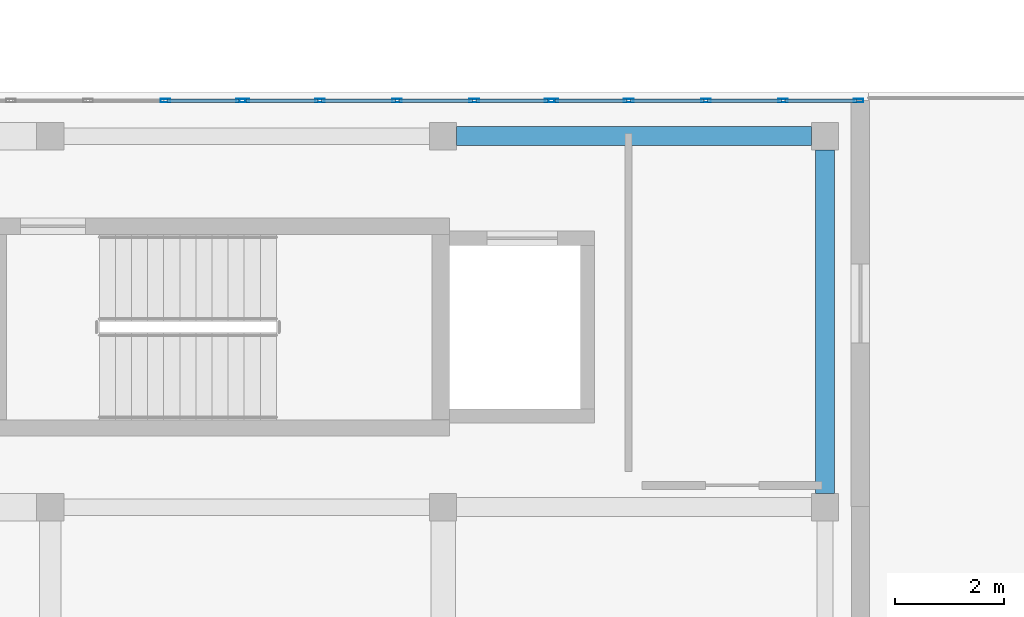
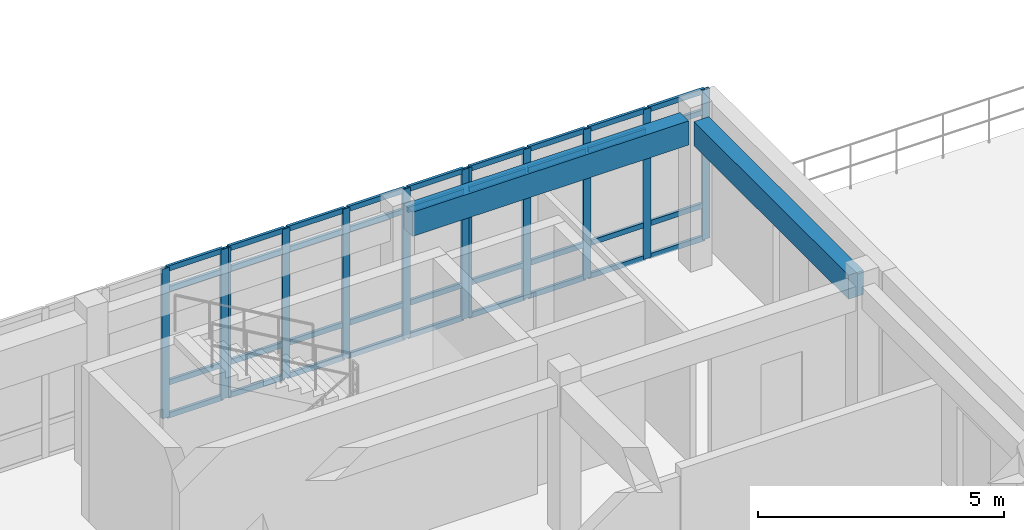
# One storey, part 13 of 52: 48 members, 2 beams, 3 elements without a shape of their own.
"""IFC4 building model written with IfcOpenShell, lengths in metres."""

from ifc_helpers import new_model, si_unit, direction, frame, origin, origin_2d, place, context, subcontext, project, spatial, rectangle, hollow_rectangle, extrude, material, layer, layer_set, material_profile, profile_set, type_object, element, aggregate, save


model = new_model("IFC4")

# Units and contexts
model_context = context("Model", 3, precision=1e-05, world=origin(), true_north=direction((0.0, 1.0)))
body_context = subcontext(model_context, "Body", "Model", "MODEL_VIEW")
ifc_project = project(units=[si_unit("LENGTHUNIT", "METRE"), si_unit("AREAUNIT", "SQUARE_METRE"), si_unit("VOLUMEUNIT", "CUBIC_METRE"), si_unit("PLANEANGLEUNIT", "RADIAN"), si_unit("MASSUNIT", "GRAM", prefix="KILO")], contexts=[model_context])

# Site, building, storey
site_placement = place(None, origin())
site = spatial("IfcSite", under=ifc_project, at=site_placement, CompositionType="ELEMENT")
building_placement = place(site_placement, origin())
building = spatial("IfcBuilding", under=site, at=building_placement, Name="Valcora Specialist Clinic", CompositionType="ELEMENT")
storey_placement = place(building_placement, frame((0.0, 0.0, 17.679931640625)))
storey = spatial("IfcBuildingStorey", under=building, at=storey_placement, Name="L04", CompositionType="ELEMENT", Elevation=17.679931640625)

# Beams
ifc_material_1 = material(Name="Concrete C40/50", Category="concrete")
ifc_material_profile_1 = material_profile(ifc_material_1, rectangle(XDim=0.35009765625, YDim=0.60009765625, at=origin_2d()), Name="RC-BM-350X600")
ifc_profile_set_1 = profile_set([ifc_material_profile_1], Name="Concrete C40/50")
beam_type = type_object("IfcBeamType", Name="TY-BM-RC350X600", PredefinedType="BEAM", material=ifc_profile_set_1)
beam_1_placement = place(storey_placement, frame((38.050048828125, 22.0, 3.420166015625), z_axis=(1.0, 0.0, 0.0), x_axis=(0.0, 1.0, 0.0)))
element("IfcBeam", 1, at=beam_1_placement, inside=storey, type_object=beam_type, Name="Beam BM-L04-1094", PredefinedType="BEAM", context=body_context, shape_type="SweptSolid", body=[
    extrude(rectangle(XDim=0.35009765625, YDim=0.60009765625, at=origin_2d()), origin(), (0.0, 0.0, 1.0), 6.5),
])
beam_2_placement = place(storey_placement, frame((44.800048828125, 15.449951171875, 3.420166015625), z_axis=(0.0, 1.0, 0.0), x_axis=(-1.0, 0.0, 0.0)))
element("IfcBeam", 2, at=beam_2_placement, inside=storey, type_object=beam_type, Name="Beam BM-L04-1110", PredefinedType="BEAM", context=body_context, shape_type="SweptSolid", body=[
    extrude(rectangle(XDim=0.35009765625, YDim=0.60009765625, at=origin_2d()), origin(), (0.0, 0.0, 1.0), 6.300048828125),
])

# Curtain wall, members
ifc_material_2 = material(Name="Anodized Bronze Aluminium 6063-T6", Category="aluminium")
ifc_layer = layer(ifc_material_2, 0.175048828125)
ifc_layer_set = layer_set([ifc_layer], Name="Anodized Bronze Aluminium 6063-T6")
curtain_wall_type = type_object("IfcCurtainWallType", Name="TY-CW-V5F15", PredefinedType="NOTDEFINED", material=ifc_layer_set)
curtain_wall_1_placement = place(storey_placement, origin())
curtain_wall_1 = element("IfcCurtainWall", 3, at=curtain_wall_1_placement, inside=storey, type_object=curtain_wall_type, Name="Curtain wall CW-L04-172", PredefinedType="NOTDEFINED")
ifc_material_profile_2 = material_profile(ifc_material_2, hollow_rectangle(XDim=0.06494140625, YDim=0.175048828125, WallThickness=0.00390625, at=origin_2d()), Name="AL-MUL-65X175")
ifc_profile_set_2 = profile_set([ifc_material_profile_2], Name="Anodized Bronze Aluminium 6063-T6")
member_type_1 = type_object("IfcMemberType", Name="TY-CWM-65X175", PredefinedType="MULLION", material=ifc_profile_set_2)
member_1_placement = place(storey_placement, frame((32.70947265625, 22.64990234375, 0.0), z_axis=(0.0, 0.0, 1.0), x_axis=(0.0, 1.0, 0.0)))
member_1 = element("IfcMember", 4, at=member_1_placement, type_object=member_type_1, Name="CW-V5F-15 mullion 4", PredefinedType="MULLION", context=body_context, shape_type="SweptSolid", body=[
    extrude(hollow_rectangle(XDim=0.06494140625, YDim=0.175048828125, WallThickness=0.00390625, at=origin_2d()), origin(), (0.0, 0.0, 1.0), 3.719970703125),
])
member_2_placement = place(storey_placement, frame((34.092529296875, 22.64990234375, 0.0), z_axis=(0.0, 0.0, 1.0), x_axis=(0.0, 1.0, 0.0)))
member_2 = element("IfcMember", 5, at=member_2_placement, type_object=member_type_1, Name="CW-V5F-15 mullion 5", PredefinedType="MULLION", context=body_context, shape_type="SweptSolid", body=[
    extrude(hollow_rectangle(XDim=0.06494140625, YDim=0.175048828125, WallThickness=0.00390625, at=origin_2d()), origin(), (0.0, 0.0, 1.0), 3.719970703125),
])

curtain_wall_2_placement = place(storey_placement, origin())
curtain_wall_2 = element("IfcCurtainWall", 6, at=curtain_wall_2_placement, inside=storey, type_object=curtain_wall_type, Name="Curtain wall CW-L04-173", PredefinedType="NOTDEFINED")
member_3_placement = place(storey_placement, frame((34.157470703125, 22.64990234375, 0.0), z_axis=(0.0, 0.0, 1.0), x_axis=(0.0, 1.0, 0.0)))
member_3 = element("IfcMember", 7, at=member_3_placement, type_object=member_type_1, Name="CW-V5F-15 mullion 1", PredefinedType="MULLION", context=body_context, shape_type="SweptSolid", body=[
    extrude(hollow_rectangle(XDim=0.06494140625, YDim=0.175048828125, WallThickness=0.00390625, at=origin_2d()), origin(), (0.0, 0.0, 1.0), 3.719970703125),
])
member_4_placement = place(storey_placement, frame((35.54052734375, 22.64990234375, 0.0), z_axis=(0.0, 0.0, 1.0), x_axis=(0.0, 1.0, 0.0)))
member_4 = element("IfcMember", 8, at=member_4_placement, type_object=member_type_1, Name="CW-V5F-15 mullion 2", PredefinedType="MULLION", context=body_context, shape_type="SweptSolid", body=[
    extrude(hollow_rectangle(XDim=0.06494140625, YDim=0.175048828125, WallThickness=0.00390625, at=origin_2d()), origin(), (0.0, 0.0, 1.0), 3.719970703125),
])
member_5_placement = place(storey_placement, frame((36.956298828125, 22.64990234375, 0.0), z_axis=(0.0, 0.0, 1.0), x_axis=(0.0, 1.0, 0.0)))
member_5 = element("IfcMember", 9, at=member_5_placement, type_object=member_type_1, Name="CW-V5F-15 mullion 3", PredefinedType="MULLION", context=body_context, shape_type="SweptSolid", body=[
    extrude(hollow_rectangle(XDim=0.06494140625, YDim=0.175048828125, WallThickness=0.00390625, at=origin_2d()), origin(), (0.0, 0.0, 1.0), 3.719970703125),
])
member_6_placement = place(storey_placement, frame((38.371826171875, 22.64990234375, 0.0), z_axis=(0.0, 0.0, 1.0), x_axis=(0.0, 1.0, 0.0)))
member_6 = element("IfcMember", 10, at=member_6_placement, type_object=member_type_1, Name="CW-V5F-15 mullion 4", PredefinedType="MULLION", context=body_context, shape_type="SweptSolid", body=[
    extrude(hollow_rectangle(XDim=0.06494140625, YDim=0.175048828125, WallThickness=0.00390625, at=origin_2d()), origin(), (0.0, 0.0, 1.0), 3.719970703125),
])
member_7_placement = place(storey_placement, frame((39.7548828125, 22.64990234375, 0.0), z_axis=(0.0, 0.0, 1.0), x_axis=(0.0, 1.0, 0.0)))
member_7 = element("IfcMember", 11, at=member_7_placement, type_object=member_type_1, Name="CW-V5F-15 mullion 5", PredefinedType="MULLION", context=body_context, shape_type="SweptSolid", body=[
    extrude(hollow_rectangle(XDim=0.06494140625, YDim=0.175048828125, WallThickness=0.00390625, at=origin_2d()), origin(), (0.0, 0.0, 1.0), 3.719970703125),
])

curtain_wall_3_placement = place(storey_placement, origin())
curtain_wall_3 = element("IfcCurtainWall", 12, at=curtain_wall_3_placement, inside=storey, type_object=curtain_wall_type, Name="Curtain wall CW-L04-174", PredefinedType="NOTDEFINED")
member_8_placement = place(storey_placement, frame((39.820068359375, 22.64990234375, 0.0), z_axis=(0.0, 0.0, 1.0), x_axis=(0.0, 1.0, 0.0)))
member_8 = element("IfcMember", 13, at=member_8_placement, type_object=member_type_1, Name="CW-V5F-15 mullion 1", PredefinedType="MULLION", context=body_context, shape_type="SweptSolid", body=[
    extrude(hollow_rectangle(XDim=0.06494140625, YDim=0.175048828125, WallThickness=0.00390625, at=origin_2d()), origin(), (0.0, 0.0, 1.0), 3.719970703125),
])
member_9_placement = place(storey_placement, frame((41.203125, 22.64990234375, 0.0), z_axis=(0.0, 0.0, 1.0), x_axis=(0.0, 1.0, 0.0)))
member_9 = element("IfcMember", 14, at=member_9_placement, type_object=member_type_1, Name="CW-V5F-15 mullion 2", PredefinedType="MULLION", context=body_context, shape_type="SweptSolid", body=[
    extrude(hollow_rectangle(XDim=0.06494140625, YDim=0.175048828125, WallThickness=0.00390625, at=origin_2d()), origin(), (0.0, 0.0, 1.0), 3.719970703125),
])
member_10_placement = place(storey_placement, frame((42.61865234375, 22.64990234375, 0.0), z_axis=(0.0, 0.0, 1.0), x_axis=(0.0, 1.0, 0.0)))
member_10 = element("IfcMember", 15, at=member_10_placement, type_object=member_type_1, Name="CW-V5F-15 mullion 3", PredefinedType="MULLION", context=body_context, shape_type="SweptSolid", body=[
    extrude(hollow_rectangle(XDim=0.06494140625, YDim=0.175048828125, WallThickness=0.00390625, at=origin_2d()), origin(), (0.0, 0.0, 1.0), 3.719970703125),
])
member_11_placement = place(storey_placement, frame((44.034423828125, 22.64990234375, 0.0), z_axis=(0.0, 0.0, 1.0), x_axis=(0.0, 1.0, 0.0)))
member_11 = element("IfcMember", 16, at=member_11_placement, type_object=member_type_1, Name="CW-V5F-15 mullion 4", PredefinedType="MULLION", context=body_context, shape_type="SweptSolid", body=[
    extrude(hollow_rectangle(XDim=0.06494140625, YDim=0.175048828125, WallThickness=0.00390625, at=origin_2d()), origin(), (0.0, 0.0, 1.0), 3.719970703125),
])
member_12_placement = place(storey_placement, frame((45.41748046875, 22.64990234375, 0.0), z_axis=(0.0, 0.0, 1.0), x_axis=(0.0, 1.0, 0.0)))
member_12 = element("IfcMember", 17, at=member_12_placement, type_object=member_type_1, Name="CW-V5F-15 mullion 5", PredefinedType="MULLION", context=body_context, shape_type="SweptSolid", body=[
    extrude(hollow_rectangle(XDim=0.06494140625, YDim=0.175048828125, WallThickness=0.00390625, at=origin_2d()), origin(), (0.0, 0.0, 1.0), 3.719970703125),
])

# Member
ifc_material_profile_3 = material_profile(ifc_material_2, hollow_rectangle(XDim=0.06494140625, YDim=0.1298828125, WallThickness=0.00390625, at=origin_2d()), Name="AL-TRN-65X130")
ifc_profile_set_3 = profile_set([ifc_material_profile_3], Name="Anodized Bronze Aluminium 6063-T6")
member_type_2 = type_object("IfcMemberType", Name="TY-CWT-65X130", PredefinedType="USERDEFINED", material=ifc_profile_set_3)
member_13_placement = place(storey_placement, frame((32.741943359375, 22.64990234375, 0.032470703125), z_axis=(1.0, 0.0, 0.0), x_axis=(0.0, 1.0, 0.0)))
member_13 = element("IfcMember", 18, at=member_13_placement, type_object=member_type_2, Name="CW-V5F-15 transom 4.1", ObjectType="TRANSOM", PredefinedType="USERDEFINED", context=body_context, shape_type="SweptSolid", body=[
    extrude(hollow_rectangle(XDim=0.06494140625, YDim=0.1298828125, WallThickness=0.00390625, at=origin_2d()), origin(), (0.0, 0.0, 1.0), 1.318115234375),
])

member_14_placement = place(storey_placement, frame((32.741943359375, 22.64990234375, 0.85009765625), z_axis=(1.0, 0.0, 0.0), x_axis=(0.0, 1.0, 0.0)))
member_14 = element("IfcMember", 19, at=member_14_placement, type_object=member_type_2, Name="CW-V5F-15 transom 4.2", ObjectType="TRANSOM", PredefinedType="USERDEFINED", context=body_context, shape_type="SweptSolid", body=[
    extrude(hollow_rectangle(XDim=0.06494140625, YDim=0.1298828125, WallThickness=0.00390625, at=origin_2d()), origin(), (0.0, 0.0, 1.0), 1.318115234375),
])

member_15_placement = place(storey_placement, frame((32.741943359375, 22.64990234375, 3.170166015625), z_axis=(1.0, 0.0, 0.0), x_axis=(0.0, 1.0, 0.0)))
member_15 = element("IfcMember", 20, at=member_15_placement, type_object=member_type_2, Name="CW-V5F-15 transom 4.3", ObjectType="TRANSOM", PredefinedType="USERDEFINED", context=body_context, shape_type="SweptSolid", body=[
    extrude(hollow_rectangle(XDim=0.06494140625, YDim=0.1298828125, WallThickness=0.00390625, at=origin_2d()), origin(), (0.0, 0.0, 1.0), 1.318115234375),
])

member_16_placement = place(storey_placement, frame((32.741943359375, 22.64990234375, 3.6875), z_axis=(1.0, 0.0, 0.0), x_axis=(0.0, 1.0, 0.0)))
member_16 = element("IfcMember", 21, at=member_16_placement, type_object=member_type_2, Name="CW-V5F-15 transom 4.4", ObjectType="TRANSOM", PredefinedType="USERDEFINED", context=body_context, shape_type="SweptSolid", body=[
    extrude(hollow_rectangle(XDim=0.06494140625, YDim=0.1298828125, WallThickness=0.00390625, at=origin_2d()), origin(), (0.0, 0.0, 1.0), 1.318115234375),
])

aggregate(curtain_wall_1, [member_1, member_2, member_13, member_14, member_15, member_16])

member_17_placement = place(storey_placement, frame((34.18994140625, 22.64990234375, 0.032470703125), z_axis=(1.0, 0.0, 0.0), x_axis=(0.0, 1.0, 0.0)))
member_17 = element("IfcMember", 22, at=member_17_placement, type_object=member_type_2, Name="CW-V5F-15 transom 1.1", ObjectType="TRANSOM", PredefinedType="USERDEFINED", context=body_context, shape_type="SweptSolid", body=[
    extrude(hollow_rectangle(XDim=0.06494140625, YDim=0.1298828125, WallThickness=0.00390625, at=origin_2d()), origin(), (0.0, 0.0, 1.0), 1.318115234375),
])

member_18_placement = place(storey_placement, frame((34.18994140625, 22.64990234375, 0.85009765625), z_axis=(1.0, 0.0, 0.0), x_axis=(0.0, 1.0, 0.0)))
member_18 = element("IfcMember", 23, at=member_18_placement, type_object=member_type_2, Name="CW-V5F-15 transom 1.2", ObjectType="TRANSOM", PredefinedType="USERDEFINED", context=body_context, shape_type="SweptSolid", body=[
    extrude(hollow_rectangle(XDim=0.06494140625, YDim=0.1298828125, WallThickness=0.00390625, at=origin_2d()), origin(), (0.0, 0.0, 1.0), 1.318115234375),
])

member_19_placement = place(storey_placement, frame((34.18994140625, 22.64990234375, 3.170166015625), z_axis=(1.0, 0.0, 0.0), x_axis=(0.0, 1.0, 0.0)))
member_19 = element("IfcMember", 24, at=member_19_placement, type_object=member_type_2, Name="CW-V5F-15 transom 1.3", ObjectType="TRANSOM", PredefinedType="USERDEFINED", context=body_context, shape_type="SweptSolid", body=[
    extrude(hollow_rectangle(XDim=0.06494140625, YDim=0.1298828125, WallThickness=0.00390625, at=origin_2d()), origin(), (0.0, 0.0, 1.0), 1.318115234375),
])

member_20_placement = place(storey_placement, frame((34.18994140625, 22.64990234375, 3.6875), z_axis=(1.0, 0.0, 0.0), x_axis=(0.0, 1.0, 0.0)))
member_20 = element("IfcMember", 25, at=member_20_placement, type_object=member_type_2, Name="CW-V5F-15 transom 1.4", ObjectType="TRANSOM", PredefinedType="USERDEFINED", context=body_context, shape_type="SweptSolid", body=[
    extrude(hollow_rectangle(XDim=0.06494140625, YDim=0.1298828125, WallThickness=0.00390625, at=origin_2d()), origin(), (0.0, 0.0, 1.0), 1.318115234375),
])

member_21_placement = place(storey_placement, frame((35.5732421875, 22.64990234375, 0.032470703125), z_axis=(1.0, 0.0, 0.0), x_axis=(0.0, 1.0, 0.0)))
member_21 = element("IfcMember", 26, at=member_21_placement, type_object=member_type_2, Name="CW-V5F-15 transom 2.1", ObjectType="TRANSOM", PredefinedType="USERDEFINED", context=body_context, shape_type="SweptSolid", body=[
    extrude(hollow_rectangle(XDim=0.06494140625, YDim=0.1298828125, WallThickness=0.00390625, at=origin_2d()), origin(), (0.0, 0.0, 1.0), 1.3505859375),
])

member_22_placement = place(storey_placement, frame((35.5732421875, 22.64990234375, 0.85009765625), z_axis=(1.0, 0.0, 0.0), x_axis=(0.0, 1.0, 0.0)))
member_22 = element("IfcMember", 27, at=member_22_placement, type_object=member_type_2, Name="CW-V5F-15 transom 2.2", ObjectType="TRANSOM", PredefinedType="USERDEFINED", context=body_context, shape_type="SweptSolid", body=[
    extrude(hollow_rectangle(XDim=0.06494140625, YDim=0.1298828125, WallThickness=0.00390625, at=origin_2d()), origin(), (0.0, 0.0, 1.0), 1.3505859375),
])

member_23_placement = place(storey_placement, frame((35.5732421875, 22.64990234375, 3.170166015625), z_axis=(1.0, 0.0, 0.0), x_axis=(0.0, 1.0, 0.0)))
member_23 = element("IfcMember", 28, at=member_23_placement, type_object=member_type_2, Name="CW-V5F-15 transom 2.3", ObjectType="TRANSOM", PredefinedType="USERDEFINED", context=body_context, shape_type="SweptSolid", body=[
    extrude(hollow_rectangle(XDim=0.06494140625, YDim=0.1298828125, WallThickness=0.00390625, at=origin_2d()), origin(), (0.0, 0.0, 1.0), 1.3505859375),
])

member_24_placement = place(storey_placement, frame((35.5732421875, 22.64990234375, 3.6875), z_axis=(1.0, 0.0, 0.0), x_axis=(0.0, 1.0, 0.0)))
member_24 = element("IfcMember", 29, at=member_24_placement, type_object=member_type_2, Name="CW-V5F-15 transom 2.4", ObjectType="TRANSOM", PredefinedType="USERDEFINED", context=body_context, shape_type="SweptSolid", body=[
    extrude(hollow_rectangle(XDim=0.06494140625, YDim=0.1298828125, WallThickness=0.00390625, at=origin_2d()), origin(), (0.0, 0.0, 1.0), 1.3505859375),
])

member_25_placement = place(storey_placement, frame((36.98876953125, 22.64990234375, 0.032470703125), z_axis=(1.0, 0.0, 0.0), x_axis=(0.0, 1.0, 0.0)))
member_25 = element("IfcMember", 30, at=member_25_placement, type_object=member_type_2, Name="CW-V5F-15 transom 3.1", ObjectType="TRANSOM", PredefinedType="USERDEFINED", context=body_context, shape_type="SweptSolid", body=[
    extrude(hollow_rectangle(XDim=0.06494140625, YDim=0.1298828125, WallThickness=0.00390625, at=origin_2d()), origin(), (0.0, 0.0, 1.0), 1.3505859375),
])

member_26_placement = place(storey_placement, frame((36.98876953125, 22.64990234375, 0.85009765625), z_axis=(1.0, 0.0, 0.0), x_axis=(0.0, 1.0, 0.0)))
member_26 = element("IfcMember", 31, at=member_26_placement, type_object=member_type_2, Name="CW-V5F-15 transom 3.2", ObjectType="TRANSOM", PredefinedType="USERDEFINED", context=body_context, shape_type="SweptSolid", body=[
    extrude(hollow_rectangle(XDim=0.06494140625, YDim=0.1298828125, WallThickness=0.00390625, at=origin_2d()), origin(), (0.0, 0.0, 1.0), 1.3505859375),
])

member_27_placement = place(storey_placement, frame((36.98876953125, 22.64990234375, 3.170166015625), z_axis=(1.0, 0.0, 0.0), x_axis=(0.0, 1.0, 0.0)))
member_27 = element("IfcMember", 32, at=member_27_placement, type_object=member_type_2, Name="CW-V5F-15 transom 3.3", ObjectType="TRANSOM", PredefinedType="USERDEFINED", context=body_context, shape_type="SweptSolid", body=[
    extrude(hollow_rectangle(XDim=0.06494140625, YDim=0.1298828125, WallThickness=0.00390625, at=origin_2d()), origin(), (0.0, 0.0, 1.0), 1.3505859375),
])

member_28_placement = place(storey_placement, frame((36.98876953125, 22.64990234375, 3.6875), z_axis=(1.0, 0.0, 0.0), x_axis=(0.0, 1.0, 0.0)))
member_28 = element("IfcMember", 33, at=member_28_placement, type_object=member_type_2, Name="CW-V5F-15 transom 3.4", ObjectType="TRANSOM", PredefinedType="USERDEFINED", context=body_context, shape_type="SweptSolid", body=[
    extrude(hollow_rectangle(XDim=0.06494140625, YDim=0.1298828125, WallThickness=0.00390625, at=origin_2d()), origin(), (0.0, 0.0, 1.0), 1.3505859375),
])

member_29_placement = place(storey_placement, frame((38.404296875, 22.64990234375, 0.032470703125), z_axis=(1.0, 0.0, 0.0), x_axis=(0.0, 1.0, 0.0)))
member_29 = element("IfcMember", 34, at=member_29_placement, type_object=member_type_2, Name="CW-V5F-15 transom 4.1", ObjectType="TRANSOM", PredefinedType="USERDEFINED", context=body_context, shape_type="SweptSolid", body=[
    extrude(hollow_rectangle(XDim=0.06494140625, YDim=0.1298828125, WallThickness=0.00390625, at=origin_2d()), origin(), (0.0, 0.0, 1.0), 1.318115234375),
])

member_30_placement = place(storey_placement, frame((38.404296875, 22.64990234375, 0.85009765625), z_axis=(1.0, 0.0, 0.0), x_axis=(0.0, 1.0, 0.0)))
member_30 = element("IfcMember", 35, at=member_30_placement, type_object=member_type_2, Name="CW-V5F-15 transom 4.2", ObjectType="TRANSOM", PredefinedType="USERDEFINED", context=body_context, shape_type="SweptSolid", body=[
    extrude(hollow_rectangle(XDim=0.06494140625, YDim=0.1298828125, WallThickness=0.00390625, at=origin_2d()), origin(), (0.0, 0.0, 1.0), 1.318115234375),
])

member_31_placement = place(storey_placement, frame((38.404296875, 22.64990234375, 3.170166015625), z_axis=(1.0, 0.0, 0.0), x_axis=(0.0, 1.0, 0.0)))
member_31 = element("IfcMember", 36, at=member_31_placement, type_object=member_type_2, Name="CW-V5F-15 transom 4.3", ObjectType="TRANSOM", PredefinedType="USERDEFINED", context=body_context, shape_type="SweptSolid", body=[
    extrude(hollow_rectangle(XDim=0.06494140625, YDim=0.1298828125, WallThickness=0.00390625, at=origin_2d()), origin(), (0.0, 0.0, 1.0), 1.318115234375),
])

member_32_placement = place(storey_placement, frame((38.404296875, 22.64990234375, 3.6875), z_axis=(1.0, 0.0, 0.0), x_axis=(0.0, 1.0, 0.0)))
member_32 = element("IfcMember", 37, at=member_32_placement, type_object=member_type_2, Name="CW-V5F-15 transom 4.4", ObjectType="TRANSOM", PredefinedType="USERDEFINED", context=body_context, shape_type="SweptSolid", body=[
    extrude(hollow_rectangle(XDim=0.06494140625, YDim=0.1298828125, WallThickness=0.00390625, at=origin_2d()), origin(), (0.0, 0.0, 1.0), 1.318115234375),
])

aggregate(curtain_wall_2, [member_3, member_4, member_5, member_6, member_7, member_17, member_18, member_19, member_20, member_21, member_22, member_23, member_24, member_25, member_26, member_27, member_28, member_29, member_30, member_31, member_32])

member_33_placement = place(storey_placement, frame((39.8525390625, 22.64990234375, 0.032470703125), z_axis=(1.0, 0.0, 0.0), x_axis=(0.0, 1.0, 0.0)))
member_33 = element("IfcMember", 38, at=member_33_placement, type_object=member_type_2, Name="CW-V5F-15 transom 1.1", ObjectType="TRANSOM", PredefinedType="USERDEFINED", context=body_context, shape_type="SweptSolid", body=[
    extrude(hollow_rectangle(XDim=0.06494140625, YDim=0.1298828125, WallThickness=0.00390625, at=origin_2d()), origin(), (0.0, 0.0, 1.0), 1.318115234375),
])

member_34_placement = place(storey_placement, frame((39.8525390625, 22.64990234375, 0.85009765625), z_axis=(1.0, 0.0, 0.0), x_axis=(0.0, 1.0, 0.0)))
member_34 = element("IfcMember", 39, at=member_34_placement, type_object=member_type_2, Name="CW-V5F-15 transom 1.2", ObjectType="TRANSOM", PredefinedType="USERDEFINED", context=body_context, shape_type="SweptSolid", body=[
    extrude(hollow_rectangle(XDim=0.06494140625, YDim=0.1298828125, WallThickness=0.00390625, at=origin_2d()), origin(), (0.0, 0.0, 1.0), 1.318115234375),
])

member_35_placement = place(storey_placement, frame((39.8525390625, 22.64990234375, 3.170166015625), z_axis=(1.0, 0.0, 0.0), x_axis=(0.0, 1.0, 0.0)))
member_35 = element("IfcMember", 40, at=member_35_placement, type_object=member_type_2, Name="CW-V5F-15 transom 1.3", ObjectType="TRANSOM", PredefinedType="USERDEFINED", context=body_context, shape_type="SweptSolid", body=[
    extrude(hollow_rectangle(XDim=0.06494140625, YDim=0.1298828125, WallThickness=0.00390625, at=origin_2d()), origin(), (0.0, 0.0, 1.0), 1.318115234375),
])

member_36_placement = place(storey_placement, frame((39.8525390625, 22.64990234375, 3.6875), z_axis=(1.0, 0.0, 0.0), x_axis=(0.0, 1.0, 0.0)))
member_36 = element("IfcMember", 41, at=member_36_placement, type_object=member_type_2, Name="CW-V5F-15 transom 1.4", ObjectType="TRANSOM", PredefinedType="USERDEFINED", context=body_context, shape_type="SweptSolid", body=[
    extrude(hollow_rectangle(XDim=0.06494140625, YDim=0.1298828125, WallThickness=0.00390625, at=origin_2d()), origin(), (0.0, 0.0, 1.0), 1.318115234375),
])

member_37_placement = place(storey_placement, frame((41.235595703125, 22.64990234375, 0.032470703125), z_axis=(1.0, 0.0, 0.0), x_axis=(0.0, 1.0, 0.0)))
member_37 = element("IfcMember", 42, at=member_37_placement, type_object=member_type_2, Name="CW-V5F-15 transom 2.1", ObjectType="TRANSOM", PredefinedType="USERDEFINED", context=body_context, shape_type="SweptSolid", body=[
    extrude(hollow_rectangle(XDim=0.06494140625, YDim=0.1298828125, WallThickness=0.00390625, at=origin_2d()), origin(), (0.0, 0.0, 1.0), 1.3505859375),
])

member_38_placement = place(storey_placement, frame((41.235595703125, 22.64990234375, 0.85009765625), z_axis=(1.0, 0.0, 0.0), x_axis=(0.0, 1.0, 0.0)))
member_38 = element("IfcMember", 43, at=member_38_placement, type_object=member_type_2, Name="CW-V5F-15 transom 2.2", ObjectType="TRANSOM", PredefinedType="USERDEFINED", context=body_context, shape_type="SweptSolid", body=[
    extrude(hollow_rectangle(XDim=0.06494140625, YDim=0.1298828125, WallThickness=0.00390625, at=origin_2d()), origin(), (0.0, 0.0, 1.0), 1.3505859375),
])

member_39_placement = place(storey_placement, frame((41.235595703125, 22.64990234375, 3.170166015625), z_axis=(1.0, 0.0, 0.0), x_axis=(0.0, 1.0, 0.0)))
member_39 = element("IfcMember", 44, at=member_39_placement, type_object=member_type_2, Name="CW-V5F-15 transom 2.3", ObjectType="TRANSOM", PredefinedType="USERDEFINED", context=body_context, shape_type="SweptSolid", body=[
    extrude(hollow_rectangle(XDim=0.06494140625, YDim=0.1298828125, WallThickness=0.00390625, at=origin_2d()), origin(), (0.0, 0.0, 1.0), 1.3505859375),
])

member_40_placement = place(storey_placement, frame((41.235595703125, 22.64990234375, 3.6875), z_axis=(1.0, 0.0, 0.0), x_axis=(0.0, 1.0, 0.0)))
member_40 = element("IfcMember", 45, at=member_40_placement, type_object=member_type_2, Name="CW-V5F-15 transom 2.4", ObjectType="TRANSOM", PredefinedType="USERDEFINED", context=body_context, shape_type="SweptSolid", body=[
    extrude(hollow_rectangle(XDim=0.06494140625, YDim=0.1298828125, WallThickness=0.00390625, at=origin_2d()), origin(), (0.0, 0.0, 1.0), 1.3505859375),
])

member_41_placement = place(storey_placement, frame((42.6513671875, 22.64990234375, 0.032470703125), z_axis=(1.0, 0.0, 0.0), x_axis=(0.0, 1.0, 0.0)))
member_41 = element("IfcMember", 46, at=member_41_placement, type_object=member_type_2, Name="CW-V5F-15 transom 3.1", ObjectType="TRANSOM", PredefinedType="USERDEFINED", context=body_context, shape_type="SweptSolid", body=[
    extrude(hollow_rectangle(XDim=0.06494140625, YDim=0.1298828125, WallThickness=0.00390625, at=origin_2d()), origin(), (0.0, 0.0, 1.0), 1.3505859375),
])

member_42_placement = place(storey_placement, frame((42.6513671875, 22.64990234375, 0.85009765625), z_axis=(1.0, 0.0, 0.0), x_axis=(0.0, 1.0, 0.0)))
member_42 = element("IfcMember", 47, at=member_42_placement, type_object=member_type_2, Name="CW-V5F-15 transom 3.2", ObjectType="TRANSOM", PredefinedType="USERDEFINED", context=body_context, shape_type="SweptSolid", body=[
    extrude(hollow_rectangle(XDim=0.06494140625, YDim=0.1298828125, WallThickness=0.00390625, at=origin_2d()), origin(), (0.0, 0.0, 1.0), 1.3505859375),
])

member_43_placement = place(storey_placement, frame((42.6513671875, 22.64990234375, 3.170166015625), z_axis=(1.0, 0.0, 0.0), x_axis=(0.0, 1.0, 0.0)))
member_43 = element("IfcMember", 48, at=member_43_placement, type_object=member_type_2, Name="CW-V5F-15 transom 3.3", ObjectType="TRANSOM", PredefinedType="USERDEFINED", context=body_context, shape_type="SweptSolid", body=[
    extrude(hollow_rectangle(XDim=0.06494140625, YDim=0.1298828125, WallThickness=0.00390625, at=origin_2d()), origin(), (0.0, 0.0, 1.0), 1.3505859375),
])

member_44_placement = place(storey_placement, frame((42.6513671875, 22.64990234375, 3.6875), z_axis=(1.0, 0.0, 0.0), x_axis=(0.0, 1.0, 0.0)))
member_44 = element("IfcMember", 49, at=member_44_placement, type_object=member_type_2, Name="CW-V5F-15 transom 3.4", ObjectType="TRANSOM", PredefinedType="USERDEFINED", context=body_context, shape_type="SweptSolid", body=[
    extrude(hollow_rectangle(XDim=0.06494140625, YDim=0.1298828125, WallThickness=0.00390625, at=origin_2d()), origin(), (0.0, 0.0, 1.0), 1.3505859375),
])

member_45_placement = place(storey_placement, frame((44.06689453125, 22.64990234375, 0.032470703125), z_axis=(1.0, 0.0, 0.0), x_axis=(0.0, 1.0, 0.0)))
member_45 = element("IfcMember", 50, at=member_45_placement, type_object=member_type_2, Name="CW-V5F-15 transom 4.1", ObjectType="TRANSOM", PredefinedType="USERDEFINED", context=body_context, shape_type="SweptSolid", body=[
    extrude(hollow_rectangle(XDim=0.06494140625, YDim=0.1298828125, WallThickness=0.00390625, at=origin_2d()), origin(), (0.0, 0.0, 1.0), 1.318115234375),
])

member_46_placement = place(storey_placement, frame((44.06689453125, 22.64990234375, 0.85009765625), z_axis=(1.0, 0.0, 0.0), x_axis=(0.0, 1.0, 0.0)))
member_46 = element("IfcMember", 51, at=member_46_placement, type_object=member_type_2, Name="CW-V5F-15 transom 4.2", ObjectType="TRANSOM", PredefinedType="USERDEFINED", context=body_context, shape_type="SweptSolid", body=[
    extrude(hollow_rectangle(XDim=0.06494140625, YDim=0.1298828125, WallThickness=0.00390625, at=origin_2d()), origin(), (0.0, 0.0, 1.0), 1.318115234375),
])

member_47_placement = place(storey_placement, frame((44.06689453125, 22.64990234375, 3.170166015625), z_axis=(1.0, 0.0, 0.0), x_axis=(0.0, 1.0, 0.0)))
member_47 = element("IfcMember", 52, at=member_47_placement, type_object=member_type_2, Name="CW-V5F-15 transom 4.3", ObjectType="TRANSOM", PredefinedType="USERDEFINED", context=body_context, shape_type="SweptSolid", body=[
    extrude(hollow_rectangle(XDim=0.06494140625, YDim=0.1298828125, WallThickness=0.00390625, at=origin_2d()), origin(), (0.0, 0.0, 1.0), 1.318115234375),
])

member_48_placement = place(storey_placement, frame((44.06689453125, 22.64990234375, 3.6875), z_axis=(1.0, 0.0, 0.0), x_axis=(0.0, 1.0, 0.0)))
member_48 = element("IfcMember", 53, at=member_48_placement, type_object=member_type_2, Name="CW-V5F-15 transom 4.4", ObjectType="TRANSOM", PredefinedType="USERDEFINED", context=body_context, shape_type="SweptSolid", body=[
    extrude(hollow_rectangle(XDim=0.06494140625, YDim=0.1298828125, WallThickness=0.00390625, at=origin_2d()), origin(), (0.0, 0.0, 1.0), 1.318115234375),
])

aggregate(curtain_wall_3, [member_8, member_9, member_10, member_11, member_12, member_33, member_34, member_35, member_36, member_37, member_38, member_39, member_40, member_41, member_42, member_43, member_44, member_45, member_46, member_47, member_48])

save(model, "model.ifc")
